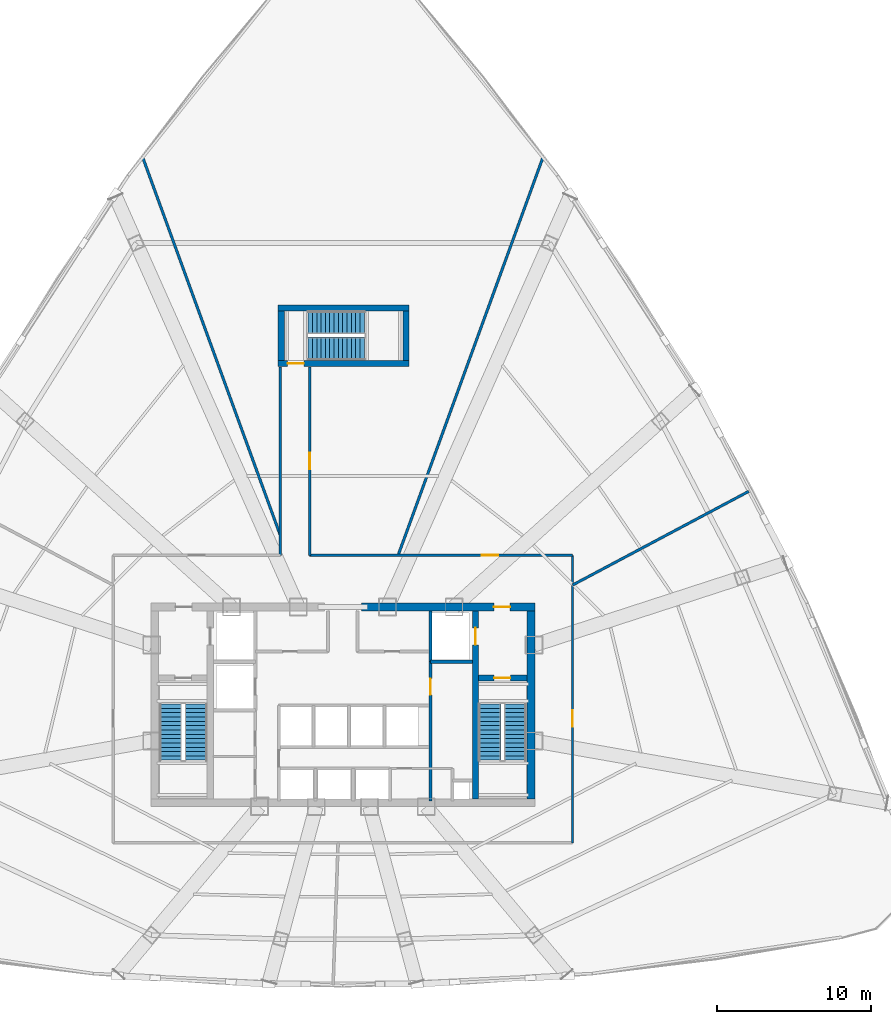
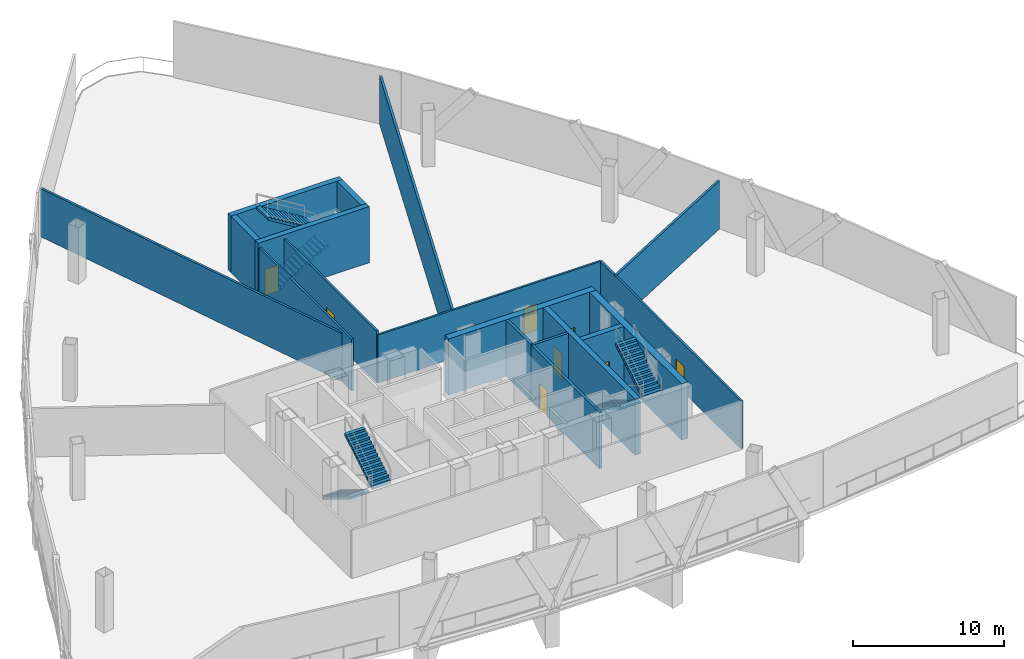
# One storey, part 8 of 14: 18 walls, 8 doors, 6 stair flights, 8 openings, 3 elements without a shape of their own.
"""IFC4 building model written with IfcOpenShell, lengths in metres."""

from ifc_helpers import new_model, si_unit, direction, frame, frame_2d, origin, origin_with_axes, place, context, subcontext, project, spatial, polyline, rectangle, outline, extrude, source, transform, mapped, material, layer, layer_set, type_object, element, fill, aggregate, save


model = new_model("IFC4")

# Units and contexts
model_context = context("Model", 3, precision=1e-05, world=origin(), true_north=direction((0.0, 1.0)))
body_context = subcontext(model_context, "Body", "Model", "MODEL_VIEW")
ifc_project = project(units=[si_unit("LENGTHUNIT", "METRE"), si_unit("AREAUNIT", "SQUARE_METRE"), si_unit("VOLUMEUNIT", "CUBIC_METRE"), si_unit("PLANEANGLEUNIT", "RADIAN"), si_unit("MASSUNIT", "GRAM", prefix="KILO"), si_unit("THERMODYNAMICTEMPERATUREUNIT", "KELVIN"), si_unit("POWERUNIT", "WATT")], contexts=[model_context])

# Site, building, storey
site_placement = place(None, origin())
site = spatial("IfcSite", under=ifc_project, at=site_placement, CompositionType="ELEMENT")
building_placement = place(site_placement, origin())
building = spatial("IfcBuilding", under=site, at=building_placement, Name="Yunzhuo Pagoda Commons", CompositionType="ELEMENT")
storey_placement = place(building_placement, frame((0.0, 0.0, 224.81005859375)))
storey = spatial("IfcBuildingStorey", under=building, at=storey_placement, Name="L56", CompositionType="ELEMENT", Elevation=224.81005859375)

# Wall, opening, door
ifc_material_1 = material(Name="Concrete C50", Category="concrete")
ifc_layer_1 = layer(ifc_material_1, 0.5)
ifc_layer_set_1 = layer_set([ifc_layer_1], Name="Concrete C50")
wall_type_1 = type_object("IfcWallType", Name="W-C03 Upper Core Shear Wall 500", PredefinedType="SHEAR", material=ifc_layer_set_1)
wall_1_placement = place(storey_placement, frame((49.199951171875, 40.199951171875, 0.0), z_axis=(0.0, 0.0, 1.0), x_axis=(1.0, 0.0, 0.0)))
wall_1 = element("IfcWall", 1, at=wall_1_placement, inside=storey, type_object=wall_type_1, Name="L56 core shear wall NE", PredefinedType="SHEAR", context=body_context, shape_type="SweptSolid", body=[
    extrude(rectangle(XDim=11.25, YDim=0.5, at=frame_2d((5.625, 0.0))), origin(), (0.0, 0.0, 1.0), 4.5400390625),
])
opening_1_placement = place(wall_1_placement, frame((8.60009765625, 0.0, 0.0)))
opening_1 = element("IfcOpeningElement", 2, at=opening_1_placement, cuts=wall_1, Name="Opening D-02", PredefinedType="OPENING", context=body_context, shape_type="SweptSolid", body=[
    extrude(rectangle(XDim=1.050048828125, YDim=2.10009765625, at=frame_2d((0.52490234375, 1.050048828125))), frame((0.0, 0.260009765625, 0.0), z_axis=(0.0, -1.0, 0.0), x_axis=(1.0, 0.0, 0.0)), (0.0, 0.0, 1.0), 0.52001953125),
])
ifc_material_2 = material(Name="Galvanized fire-resisting metal leaf")
door_type_1 = type_object("IfcDoorType", Name="D-02 Firefighting Lobby & Refuge Fire Door 1050x2100", OperationType="NOTDEFINED", PredefinedType="DOOR", material=ifc_material_2)
shared_shape_1 = source(origin(), body_context, "Body", "SweptSolid", [
    extrude(rectangle(XDim=1.050048828125, YDim=2.10009765625, at=frame_2d((0.52490234375, 1.050048828125))), frame((0.0, 0.02490234375, 0.0), z_axis=(0.0, -1.0, 0.0), x_axis=(1.0, 0.0, 0.0)), (0.0, 0.0, 1.0), 0.050048828125),
])
door_1_placement = place(opening_1_placement, frame((1.050048828125, 0.0, 0.0), z_axis=(0.0, 0.0, 1.0), x_axis=(-1.0, 0.0, 0.0)))
door_1 = element("IfcDoor", 3, at=door_1_placement, inside=storey, type_object=door_type_1, Name="L56 Firefighting Lobby 2 fire door", OperationType="SINGLE_SWING_RIGHT", OverallHeight=2.10009765625, OverallWidth=1.050048828125, PredefinedType="DOOR", context=body_context, shape_type="MappedRepresentation", body=[
    mapped(shared_shape_1, transform((0.0, 0.0, 0.0), scale=1.0)),
])
fill(opening_1, door_1)

# Wall
wall_2_placement = place(storey_placement, frame((60.199951171875, 27.75, 0.0), z_axis=(0.0, 0.0, 1.0), x_axis=(0.0, 1.0, 0.0)))
element("IfcWall", 4, at=wall_2_placement, inside=storey, type_object=wall_type_1, Name="L56 core shear wall E", PredefinedType="SHEAR", context=body_context, shape_type="SweptSolid", body=[
    extrude(rectangle(XDim=12.199951171875, YDim=0.5, at=frame_2d((6.10009765625, 0.0))), origin(), (0.0, 0.0, 1.0), 4.5400390625),
])

# Wall, opening, door
ifc_material_3 = material(Name="Gypsum plasterboard on acoustic stud")
ifc_layer_2 = layer(ifc_material_3, 0.14990234375)
ifc_layer_set_2 = layer_set([ifc_layer_2], Name="Gypsum plasterboard on acoustic stud")
wall_type_2 = type_object("IfcWallType", Name="W-COR3 High-Zone Rated Corridor Wall 150", PredefinedType="PARTITIONING", material=ifc_layer_set_2)
wall_3_placement = place(storey_placement, frame((45.85009765625, 55.780029296875, 0.0), z_axis=(0.0, 0.0, 1.0), x_axis=(0.0, -1.0, 0.0)))
wall_3 = element("IfcWall", 5, at=wall_3_placement, inside=storey, type_object=wall_type_2, Name="L56 interior wall IW-L56-SCW01", PredefinedType="PARTITIONING", context=body_context, shape_type="SweptSolid", body=[
    extrude(rectangle(XDim=12.22998046875, YDim=0.14990234375, at=frame_2d((6.114990234375, 0.0))), origin(), (0.0, 0.0, 1.0), 4.18994140625),
])
opening_2_placement = place(wall_3_placement, frame((5.590087890625, 0.0, 0.0)))
opening_2 = element("IfcOpeningElement", 6, at=opening_2_placement, cuts=wall_3, Name="Opening D-02", PredefinedType="OPENING", context=body_context, shape_type="SweptSolid", body=[
    extrude(rectangle(XDim=1.050048828125, YDim=2.10009765625, at=frame_2d((0.52490234375, 1.050048828125))), frame((0.0, 0.0849609375, 0.0), z_axis=(0.0, -1.0, 0.0), x_axis=(1.0, 0.0, 0.0)), (0.0, 0.0, 1.0), 0.169921875),
])
door_2_placement = place(opening_2_placement, origin_with_axes())
door_2 = element("IfcDoor", 7, at=door_2_placement, inside=storey, type_object=door_type_1, Name="L56 North Refuge Area door", OperationType="SINGLE_SWING_RIGHT", OverallHeight=2.10009765625, OverallWidth=1.050048828125, PredefinedType="DOOR", context=body_context, shape_type="MappedRepresentation", body=[
    mapped(shared_shape_1, transform((0.0, 0.0, 0.0), scale=1.0)),
])
fill(opening_2, door_2)

wall_4_placement = place(storey_placement, frame((45.85009765625, 43.550048828125, 0.0), z_axis=(0.0, 0.0, 1.0), x_axis=(1.0, 0.0, 0.0)))
wall_4 = element("IfcWall", 8, at=wall_4_placement, inside=storey, type_object=wall_type_2, Name="L56 interior wall IW-L56-SCW02", PredefinedType="PARTITIONING", context=body_context, shape_type="SweptSolid", body=[
    extrude(rectangle(XDim=17.0498046875, YDim=0.14990234375, at=frame_2d((8.52490234375, 0.0))), origin(), (0.0, 0.0, 1.0), 3.889892578125),
])
opening_3_placement = place(wall_4_placement, frame((11.16748046875, 0.0, 0.0)))
opening_3 = element("IfcOpeningElement", 9, at=opening_3_placement, cuts=wall_4, Name="Opening D-02", PredefinedType="OPENING", context=body_context, shape_type="SweptSolid", body=[
    extrude(rectangle(XDim=1.050048828125, YDim=2.10009765625, at=frame_2d((0.52490234375, 1.050048828125))), frame((0.0, 0.0849609375, 0.0), z_axis=(0.0, -1.0, 0.0), x_axis=(1.0, 0.0, 0.0)), (0.0, 0.0, 1.0), 0.169921875),
])
door_3_placement = place(opening_3_placement, origin_with_axes())
door_3 = element("IfcDoor", 10, at=door_3_placement, inside=storey, type_object=door_type_1, Name="L56 Air Handling Plant Room door", OperationType="SINGLE_SWING_LEFT", OverallHeight=2.10009765625, OverallWidth=1.050048828125, PredefinedType="DOOR", context=body_context, shape_type="MappedRepresentation", body=[
    mapped(shared_shape_1, transform((0.0, 0.0, 0.0), scale=1.0)),
])
fill(opening_3, door_3)

wall_5_placement = place(storey_placement, frame((62.89990234375, 43.550048828125, 0.0), z_axis=(0.0, 0.0, 1.0), x_axis=(0.0, -1.0, 0.0)))
wall_5 = element("IfcWall", 11, at=wall_5_placement, inside=storey, type_object=wall_type_2, Name="L56 interior wall IW-L56-SCW03", PredefinedType="PARTITIONING", context=body_context, shape_type="SweptSolid", body=[
    extrude(rectangle(XDim=18.650146484375, YDim=0.14990234375, at=frame_2d((9.3251953125, 0.0))), origin(), (0.0, 0.0, 1.0), 3.889892578125),
])
opening_4_placement = place(wall_5_placement, frame((10.063720703125, 0.0, 0.0)))
opening_4 = element("IfcOpeningElement", 12, at=opening_4_placement, cuts=wall_5, Name="Opening D-02", PredefinedType="OPENING", context=body_context, shape_type="SweptSolid", body=[
    extrude(rectangle(XDim=1.050048828125, YDim=2.10009765625, at=frame_2d((0.52490234375, 1.050048828125))), frame((0.0, 0.0849609375, 0.0), z_axis=(0.0, -1.0, 0.0), x_axis=(1.0, 0.0, 0.0)), (0.0, 0.0, 1.0), 0.169921875),
])
door_4_placement = place(opening_4_placement, origin_with_axes())
door_4 = element("IfcDoor", 13, at=door_4_placement, inside=storey, type_object=door_type_1, Name="L56 South Refuge Area door", OperationType="SINGLE_SWING_LEFT", OverallHeight=2.10009765625, OverallWidth=1.050048828125, PredefinedType="DOOR", context=body_context, shape_type="MappedRepresentation", body=[
    mapped(shared_shape_1, transform((0.0, 0.0, 0.0), scale=1.0)),
])
fill(opening_4, door_4)

# Walls
wall_6_placement = place(storey_placement, frame((43.949951171875, 43.550048828125, 0.0), z_axis=(0.0, 0.0, 1.0), x_axis=(0.0, 1.0, 0.0)))
element("IfcWall", 14, at=wall_6_placement, inside=storey, type_object=wall_type_2, Name="L56 interior wall IW-L56-SCW07", PredefinedType="PARTITIONING", context=body_context, shape_type="SweptSolid", body=[
    extrude(rectangle(XDim=12.22998046875, YDim=0.14990234375, at=frame_2d((6.114990234375, 0.0))), origin(), (0.0, 0.0, 1.0), 4.18994140625),
])
ifc_layer_3 = layer(ifc_material_3, 0.169921875)
ifc_layer_set_3 = layer_set([ifc_layer_3], Name="Gypsum plasterboard on acoustic stud")
wall_type_3 = type_object("IfcWallType", Name="W-PRT4 High-Zone Demising Wall 170", PredefinedType="PARTITIONING", material=ifc_layer_set_3)
wall_7_placement = place(storey_placement, frame((62.89990234375, 41.62255859375, 0.0), z_axis=(0.0, 0.0, 1.0), x_axis=(0.88294771871, 0.469471326093, 0.0)))
element("IfcWall", 15, at=wall_7_placement, inside=storey, type_object=wall_type_3, Name="L56 interior wall IW-L56-SRAD1", PredefinedType="PARTITIONING", context=body_context, shape_type="SweptSolid", body=[
    extrude(rectangle(XDim=12.949462890625, YDim=0.169921875, at=frame_2d((6.474609375, 0.0))), origin(), (0.0, 0.0, 1.0), 3.889892578125),
])
wall_8_placement = place(storey_placement, frame((51.585205078125, 43.550048828125, 0.0), z_axis=(0.0, 0.0, 1.0), x_axis=(0.342012903323, 0.9396952559, 0.0)))
element("IfcWall", 16, at=wall_8_placement, inside=storey, type_object=wall_type_3, Name="L56 interior wall IW-L56-SRAD2", PredefinedType="PARTITIONING", context=body_context, shape_type="SweptSolid", body=[
    extrude(rectangle(XDim=27.458251953125, YDim=0.169921875, at=frame_2d((13.72900390625, 0.0))), origin(), (0.0, 0.0, 1.0), 3.889892578125),
])
wall_9_placement = place(storey_placement, frame((43.949951171875, 44.827392578125, 0.0), z_axis=(0.0, 0.0, 1.0), x_axis=(-0.342014940405, 0.939694514478, 0.0)))
element("IfcWall", 17, at=wall_9_placement, inside=storey, type_object=wall_type_3, Name="L56 interior wall IW-L56-SRAD3", PredefinedType="PARTITIONING", context=body_context, shape_type="SweptSolid", body=[
    extrude(rectangle(XDim=26.09912109375, YDim=0.169921875, at=frame_2d((13.049560546875, 0.0))), origin(), (0.0, 0.0, 1.0), 3.889892578125),
])

# Wall, opening, door
ifc_material_4 = material(Name="Concrete C60", Category="concrete")
ifc_layer_4 = layer(ifc_material_4, 0.39990234375)
ifc_layer_set_4 = layer_set([ifc_layer_4], Name="Concrete C60")
wall_type_4 = type_object("IfcWallType", Name="W-S01 Internal Core Shear Web 400", PredefinedType="SHEAR", material=ifc_layer_set_4)
wall_10_placement = place(storey_placement, frame((56.60009765625, 27.75, 0.0), z_axis=(0.0, 0.0, 1.0), x_axis=(0.0, 1.0, 0.0)))
wall_10 = element("IfcWall", 18, at=wall_10_placement, inside=storey, type_object=wall_type_4, Name="L56 core shear wall WEBE", PredefinedType="SHEAR", context=body_context, shape_type="SweptSolid", body=[
    extrude(rectangle(XDim=12.199951171875, YDim=0.39990234375, at=frame_2d((6.10009765625, 0.0))), origin(), (0.0, 0.0, 1.0), 4.5400390625),
])
opening_5_placement = place(wall_10_placement, frame((10.0, 0.0, 0.0)))
opening_5 = element("IfcOpeningElement", 19, at=opening_5_placement, cuts=wall_10, Name="Opening LD-01", PredefinedType="OPENING", context=body_context, shape_type="SweptSolid", body=[
    extrude(rectangle(XDim=1.10009765625, YDim=2.10009765625, at=frame_2d((0.550048828125, 1.050048828125))), frame((0.0, 0.2099609375, 0.0), z_axis=(0.0, -1.0, 0.0), x_axis=(1.0, 0.0, 0.0)), (0.0, 0.0, 1.0), 0.419921875),
])
door_type_2 = type_object("IfcDoorType", Name="LD-01 Firefighting Lift Landing Door 1100x2100", OperationType="DOUBLE_DOOR_SLIDING", PredefinedType="DOOR", material=ifc_material_2)
shared_shape_2 = source(origin(), body_context, "Body", "SweptSolid", [
    extrude(rectangle(XDim=1.10009765625, YDim=2.10009765625, at=frame_2d((0.550048828125, 1.050048828125))), frame((0.0, 0.02490234375, 0.0), z_axis=(0.0, -1.0, 0.0), x_axis=(1.0, 0.0, 0.0)), (0.0, 0.0, 1.0), 0.050048828125),
])
door_5_placement = place(opening_5_placement, origin_with_axes())
door_5 = element("IfcDoor", 20, at=door_5_placement, inside=storey, type_object=door_type_2, Name="L56 Firefighting lift FL-2 landing door", OperationType="DOUBLE_DOOR_SLIDING", OverallHeight=2.10009765625, OverallWidth=1.10009765625, PredefinedType="DOOR", context=body_context, shape_type="MappedRepresentation", body=[
    mapped(shared_shape_2, transform((0.0, 0.0, 0.0), scale=1.0)),
])
fill(opening_5, door_5)

wall_11_placement = place(storey_placement, frame((56.800048828125, 35.60009765625, 0.0), z_axis=(0.0, 0.0, 1.0), x_axis=(1.0, 0.0, 0.0)))
wall_11 = element("IfcWall", 21, at=wall_11_placement, inside=storey, type_object=wall_type_4, Name="L56 core shear wall STE", PredefinedType="SHEAR", context=body_context, shape_type="SweptSolid", body=[
    extrude(rectangle(XDim=3.14990234375, YDim=0.39990234375, at=frame_2d((1.574951171875, 0.0))), origin(), (0.0, 0.0, 1.0), 4.5400390625),
])
opening_6_placement = place(wall_11_placement, frame((1.02001953125, 0.0, 0.0)))
opening_6 = element("IfcOpeningElement", 22, at=opening_6_placement, cuts=wall_11, Name="Opening D-01", PredefinedType="OPENING", context=body_context, shape_type="SweptSolid", body=[
    extrude(rectangle(XDim=1.050048828125, YDim=2.10009765625, at=frame_2d((0.52490234375, 1.050048828125))), frame((0.0, 0.2099609375, 0.0), z_axis=(0.0, -1.0, 0.0), x_axis=(1.0, 0.0, 0.0)), (0.0, 0.0, 1.0), 0.419921875),
])
door_type_3 = type_object("IfcDoorType", Name="D-01 Smokeproof Stair Fire Door 1050x2100", OperationType="NOTDEFINED", PredefinedType="DOOR", material=ifc_material_2)
door_6_placement = place(opening_6_placement, frame((1.050048828125, 0.0, 0.0), z_axis=(0.0, 0.0, 1.0), x_axis=(-1.0, 0.0, 0.0)))
door_6 = element("IfcDoor", 23, at=door_6_placement, inside=storey, type_object=door_type_3, Name="L56 Stair ST2 fire door", OperationType="SINGLE_SWING_RIGHT", OverallHeight=2.10009765625, OverallWidth=1.050048828125, PredefinedType="DOOR", context=body_context, shape_type="MappedRepresentation", body=[
    mapped(shared_shape_1, transform((0.0, 0.0, 0.0), scale=1.0)),
])
fill(opening_6, door_6)

# Wall
wall_12_placement = place(storey_placement, frame((43.800048828125, 59.60009765625, 0.0), z_axis=(0.0, 0.0, 1.0), x_axis=(1.0, 0.0, 0.0)))
element("IfcWall", 24, at=wall_12_placement, inside=storey, type_object=wall_type_4, Name="L56 ST3 structural stair wall N", PredefinedType="SHEAR", context=body_context, shape_type="SweptSolid", body=[
    extrude(rectangle(XDim=8.5, YDim=0.39990234375, at=frame_2d((4.25, 0.0))), origin(), (0.0, 0.0, 1.0), 4.5400390625),
])

# Wall, opening, door
wall_13_placement = place(storey_placement, frame((43.800048828125, 56.0, 0.0), z_axis=(0.0, 0.0, 1.0), x_axis=(1.0, 0.0, 0.0)))
wall_13 = element("IfcWall", 25, at=wall_13_placement, inside=storey, type_object=wall_type_4, Name="L56 ST3 structural stair wall S", PredefinedType="SHEAR", context=body_context, shape_type="SweptSolid", body=[
    extrude(rectangle(XDim=8.5, YDim=0.39990234375, at=frame_2d((4.25, 0.0))), origin(), (0.0, 0.0, 1.0), 4.5400390625),
])
opening_7_placement = place(wall_13_placement, frame((0.6201171875, 0.0, 0.0)))
opening_7 = element("IfcOpeningElement", 26, at=opening_7_placement, cuts=wall_13, Name="Opening D-01", PredefinedType="OPENING", context=body_context, shape_type="SweptSolid", body=[
    extrude(rectangle(XDim=1.050048828125, YDim=2.10009765625, at=frame_2d((0.52490234375, 1.050048828125))), frame((0.0, 0.2099609375, 0.0), z_axis=(0.0, -1.0, 0.0), x_axis=(1.0, 0.0, 0.0)), (0.0, 0.0, 1.0), 0.419921875),
])
door_7_placement = place(opening_7_placement, frame((1.050048828125, 0.0, 0.0), z_axis=(0.0, 0.0, 1.0), x_axis=(-1.0, 0.0, 0.0)))
door_7 = element("IfcDoor", 27, at=door_7_placement, inside=storey, type_object=door_type_3, Name="L56 Stair ST3 fire door", OperationType="SINGLE_SWING_LEFT", OverallHeight=2.10009765625, OverallWidth=1.050048828125, PredefinedType="DOOR", context=body_context, shape_type="MappedRepresentation", body=[
    mapped(shared_shape_1, transform((0.0, 0.0, 0.0), scale=1.0)),
])
fill(opening_7, door_7)

# Walls
for number, where, z_axis, x_axis, name in (
    (28, (44.0, 56.199951171875, 0.0), (0.0, 0.0, 1.0), (0.0, 1.0, 0.0), "L56 ST3 structural stair wall W"),
    (29, (52.10009765625, 56.199951171875, 0.0), (0.0, 0.0, 1.0), (0.0, 1.0, 0.0), "L56 ST3 structural stair wall E"),
):
    element("IfcWall", number, at=place(storey_placement, frame(where, z_axis=z_axis, x_axis=x_axis)), inside=storey, type_object=wall_type_4, Name=name, PredefinedType="SHEAR", context=body_context, shape_type="SweptSolid", body=[
        extrude(rectangle(XDim=3.199951171875, YDim=0.39990234375, at=frame_2d((1.60009765625, 0.0))), origin(), (0.0, 0.0, 1.0), 4.5400390625),
    ])
ifc_material_5 = material(Name="Concrete C40", Category="concrete")
ifc_layer_5 = layer(ifc_material_5, 0.199951171875)
ifc_layer_set_5 = layer_set([ifc_layer_5], Name="Concrete C40")
wall_type_5 = type_object("IfcWallType", Name="W-SHF Shaft & Stair Enclosure Wall 200", PredefinedType="SOLIDWALL", material=ifc_layer_set_5)
wall_14_placement = place(storey_placement, frame((53.679931640625, 36.64990234375, 0.0), z_axis=(0.0, 0.0, 1.0), x_axis=(0.0, 1.0, 0.0)))
element("IfcWall", 30, at=wall_14_placement, inside=storey, type_object=wall_type_5, Name="L56 interior wall IW-L56-FL2W", PredefinedType="SOLIDWALL", context=body_context, shape_type="SweptSolid", body=[
    extrude(rectangle(XDim=3.300048828125, YDim=0.199951171875, at=frame_2d((1.64990234375, 0.0))), origin(), (0.0, 0.0, 1.0), 4.5400390625),
])
wall_15_placement = place(storey_placement, frame((53.679931640625, 36.64990234375, 0.0), z_axis=(0.0, 0.0, 1.0), x_axis=(1.0, 0.0, 0.0)))
element("IfcWall", 31, at=wall_15_placement, inside=storey, type_object=wall_type_5, Name="L56 interior wall IW-L56-FL2S", PredefinedType="SOLIDWALL", context=body_context, shape_type="SweptSolid", body=[
    extrude(rectangle(XDim=2.719970703125, YDim=0.199951171875, at=frame_2d((1.35986328125, 0.0))), origin(), (0.0, 0.0, 1.0), 4.5400390625),
])

# Wall, opening, door
wall_16_placement = place(storey_placement, frame((53.679931640625, 27.60009765625, 0.0), z_axis=(0.0, 0.0, 1.0), x_axis=(0.0, 1.0, 0.0)))
wall_16 = element("IfcWall", 32, at=wall_16_placement, inside=storey, type_object=wall_type_5, Name="L56 interior wall IW-L56-PLME", PredefinedType="SOLIDWALL", context=body_context, shape_type="SweptSolid", body=[
    extrude(rectangle(XDim=9.0498046875, YDim=0.199951171875, at=frame_2d((4.52490234375, 0.0))), origin(), (0.0, 0.0, 1.0), 4.5400390625),
])
opening_8_placement = place(wall_16_placement, frame((6.89990234375, 0.0, 0.0)))
opening_8 = element("IfcOpeningElement", 33, at=opening_8_placement, cuts=wall_16, Name="Opening D-02", PredefinedType="OPENING", context=body_context, shape_type="SweptSolid", body=[
    extrude(rectangle(XDim=1.050048828125, YDim=2.10009765625, at=frame_2d((0.52490234375, 1.050048828125))), frame((0.0, 0.10986328125, 0.0), z_axis=(0.0, -1.0, 0.0), x_axis=(1.0, 0.0, 0.0)), (0.0, 0.0, 1.0), 0.219970703125),
])
door_8_placement = place(opening_8_placement, origin_with_axes())
door_8 = element("IfcDoor", 34, at=door_8_placement, inside=storey, type_object=door_type_1, Name="L56 High-bank lift hall door", OperationType="SINGLE_SWING_RIGHT", OverallHeight=2.10009765625, OverallWidth=1.050048828125, PredefinedType="DOOR", context=body_context, shape_type="MappedRepresentation", body=[
    mapped(shared_shape_1, transform((0.0, 0.0, 0.0), scale=1.0)),
])
fill(opening_8, door_8)

# Stair, stair flights
stair_type_1 = type_object("IfcStairType", Name="ST-C1 Core Smokeproof Stair ST1", PredefinedType="HALF_TURN_STAIR", material=ifc_material_5)
stair_1_placement = place(storey_placement, origin())
stair_1 = element("IfcStair", 35, at=stair_1_placement, inside=storey, type_object=stair_type_1, Name="L56 Core smokeproof stair ST1", PredefinedType="HALF_TURN_STAIR")
stair_flight_type_1 = type_object("IfcStairFlightType", Name="STF-C1 Core Stair Flight 1450", PredefinedType="STRAIGHT", material=ifc_material_5)
shared_shape_3 = source(origin(), body_context, "Body", "SweptSolid", [
    extrude(outline(polyline([(0.0, -0.14990234375), (0.0, 0.0), (0.0, 0.17138671875), (0.280029296875, 0.17138671875), (0.280029296875, 0.3427734375), (0.56005859375, 0.3427734375), (0.56005859375, 0.514404296875), (0.840087890625, 0.514404296875), (0.840087890625, 0.685791015625), (1.1201171875, 0.685791015625), (1.1201171875, 0.857177734375), (1.39990234375, 0.857177734375), (1.39990234375, 1.028564453125), (1.679931640625, 1.028564453125), (1.679931640625, 1.199951171875), (1.9599609375, 1.199951171875), (1.9599609375, 1.371337890625), (2.239990234375, 1.371337890625), (2.239990234375, 1.54296875), (2.52001953125, 1.54296875), (2.52001953125, 1.71435546875), (2.800048828125, 1.71435546875), (2.800048828125, 1.8857421875), (3.080078125, 1.8857421875), (3.080078125, 2.05712890625), (3.360107421875, 2.05712890625), (3.360107421875, 2.228515625), (3.639892578125, 2.228515625), (3.639892578125, 2.39990234375), (3.639892578125, 2.052734375), (0.287109375, 0.0), (0.050048828125, -0.14990234375), (0.0, -0.14990234375)])), frame((0.0, 0.72509765625, 0.0), z_axis=(0.0, -1.0, 0.0), x_axis=(1.0, 0.0, 0.0)), (0.0, 0.0, 1.0), 1.449951171875),
])
stair_flight_1_placement = place(storey_placement, frame((36.824951171875, 33.89990234375, 0.0), z_axis=(0.0, 0.0, 1.0), x_axis=(0.0, -1.0, 0.0)))
stair_flight_1 = element("IfcStairFlight", 36, at=stair_flight_1_placement, type_object=stair_flight_type_1, Name="ST1 flight 1", NumberOfRisers=14, NumberOfTreads=13, PredefinedType="STRAIGHT", RiserHeight=0.171428571, TreadLength=0.28, context=body_context, shape_type="MappedRepresentation", body=[
    mapped(shared_shape_3, transform((0.0, 0.0, 0.0), scale=1.0)),
])
stair_flight_2_placement = place(storey_placement, frame((38.47509765625, 30.260009765625, 2.39990234375), z_axis=(0.0, 0.0, 1.0), x_axis=(0.0, 1.0, 0.0)))
stair_flight_2 = element("IfcStairFlight", 37, at=stair_flight_2_placement, type_object=stair_flight_type_1, Name="ST1 flight 2", NumberOfRisers=14, NumberOfTreads=13, PredefinedType="STRAIGHT", RiserHeight=0.171428571, TreadLength=0.28, context=body_context, shape_type="MappedRepresentation", body=[
    mapped(shared_shape_3, transform((0.0, 0.0, 0.0), scale=1.0)),
])
aggregate(stair_1, [stair_flight_1, stair_flight_2])

stair_type_2 = type_object("IfcStairType", Name="ST-C2 Core Smokeproof Stair ST2", PredefinedType="HALF_TURN_STAIR", material=ifc_material_5)
stair_2_placement = place(storey_placement, origin())
stair_2 = element("IfcStair", 38, at=stair_2_placement, inside=storey, type_object=stair_type_2, Name="L56 Core smokeproof stair ST2", PredefinedType="HALF_TURN_STAIR")
stair_flight_type_2 = type_object("IfcStairFlightType", Name="STF-C2 Core Stair Flight 1460", PredefinedType="STRAIGHT", material=ifc_material_5)
stair_flight_3_placement = place(storey_placement, frame((57.52490234375, 33.89990234375, 0.0), z_axis=(0.0, 0.0, 1.0), x_axis=(0.0, -1.0, 0.0)))
stair_flight_3 = element("IfcStairFlight", 39, at=stair_flight_3_placement, type_object=stair_flight_type_2, Name="ST2 flight 1", NumberOfRisers=14, NumberOfTreads=13, PredefinedType="STRAIGHT", RiserHeight=0.171428571, TreadLength=0.28, context=body_context, shape_type="MappedRepresentation", body=[
    mapped(shared_shape_3, transform((0.0, 0.0, 0.0), scale=1.0)),
])
stair_flight_4_placement = place(storey_placement, frame((59.175048828125, 30.260009765625, 2.39990234375), z_axis=(0.0, 0.0, 1.0), x_axis=(0.0, 1.0, 0.0)))
stair_flight_4 = element("IfcStairFlight", 40, at=stair_flight_4_placement, type_object=stair_flight_type_2, Name="ST2 flight 2", NumberOfRisers=14, NumberOfTreads=13, PredefinedType="STRAIGHT", RiserHeight=0.171428571, TreadLength=0.28, context=body_context, shape_type="MappedRepresentation", body=[
    mapped(shared_shape_3, transform((0.0, 0.0, 0.0), scale=1.0)),
])
aggregate(stair_2, [stair_flight_3, stair_flight_4])

stair_type_3 = type_object("IfcStairType", Name="ST-C3 North Tower Smokeproof Stair ST3", PredefinedType="HALF_TURN_STAIR", material=ifc_material_5)
stair_3_placement = place(storey_placement, origin())
stair_3 = element("IfcStair", 41, at=stair_3_placement, inside=storey, type_object=stair_type_3, Name="L56 North tower smokeproof stair ST3", PredefinedType="HALF_TURN_STAIR")
stair_flight_type_3 = type_object("IfcStairFlightType", Name="STF-C3 North Stair Flight 1500", PredefinedType="STRAIGHT", material=ifc_material_5)
shared_shape_4 = source(origin(), body_context, "Body", "SweptSolid", [
    extrude(outline(polyline([(0.0, -0.14990234375), (0.0, 0.0), (0.0, 0.17138671875), (0.280029296875, 0.17138671875), (0.280029296875, 0.3427734375), (0.56005859375, 0.3427734375), (0.56005859375, 0.514404296875), (0.840087890625, 0.514404296875), (0.840087890625, 0.685791015625), (1.1201171875, 0.685791015625), (1.1201171875, 0.857177734375), (1.39990234375, 0.857177734375), (1.39990234375, 1.028564453125), (1.679931640625, 1.028564453125), (1.679931640625, 1.199951171875), (1.9599609375, 1.199951171875), (1.9599609375, 1.371337890625), (2.239990234375, 1.371337890625), (2.239990234375, 1.54296875), (2.52001953125, 1.54296875), (2.52001953125, 1.71435546875), (2.800048828125, 1.71435546875), (2.800048828125, 1.8857421875), (3.080078125, 1.8857421875), (3.080078125, 2.05712890625), (3.360107421875, 2.05712890625), (3.360107421875, 2.228515625), (3.639892578125, 2.228515625), (3.639892578125, 2.39990234375), (3.639892578125, 2.052734375), (0.287109375, 0.0), (0.050048828125, -0.14990234375), (0.0, -0.14990234375)])), frame((0.0, 0.75, 0.0), z_axis=(0.0, -1.0, 0.0), x_axis=(1.0, 0.0, 0.0)), (0.0, 0.0, 1.0), 1.5),
])
stair_flight_5_placement = place(storey_placement, frame((45.75, 56.949951171875, 0.0), z_axis=(0.0, 0.0, 1.0), x_axis=(1.0, 0.0, 0.0)))
stair_flight_5 = element("IfcStairFlight", 42, at=stair_flight_5_placement, type_object=stair_flight_type_3, Name="ST3 flight 1", NumberOfRisers=14, NumberOfTreads=13, PredefinedType="STRAIGHT", RiserHeight=0.171428571, TreadLength=0.28, context=body_context, shape_type="MappedRepresentation", body=[
    mapped(shared_shape_4, transform((0.0, 0.0, 0.0), scale=1.0)),
])
stair_flight_6_placement = place(storey_placement, frame((49.389892578125, 58.64990234375, 2.39990234375), z_axis=(0.0, 0.0, 1.0), x_axis=(-1.0, 0.0, 0.0)))
stair_flight_6 = element("IfcStairFlight", 43, at=stair_flight_6_placement, type_object=stair_flight_type_3, Name="ST3 flight 2", NumberOfRisers=14, NumberOfTreads=13, PredefinedType="STRAIGHT", RiserHeight=0.171428571, TreadLength=0.28, context=body_context, shape_type="MappedRepresentation", body=[
    mapped(shared_shape_4, transform((0.0, 0.0, 0.0), scale=1.0)),
])
aggregate(stair_3, [stair_flight_5, stair_flight_6])

save(model, "model.ifc")
